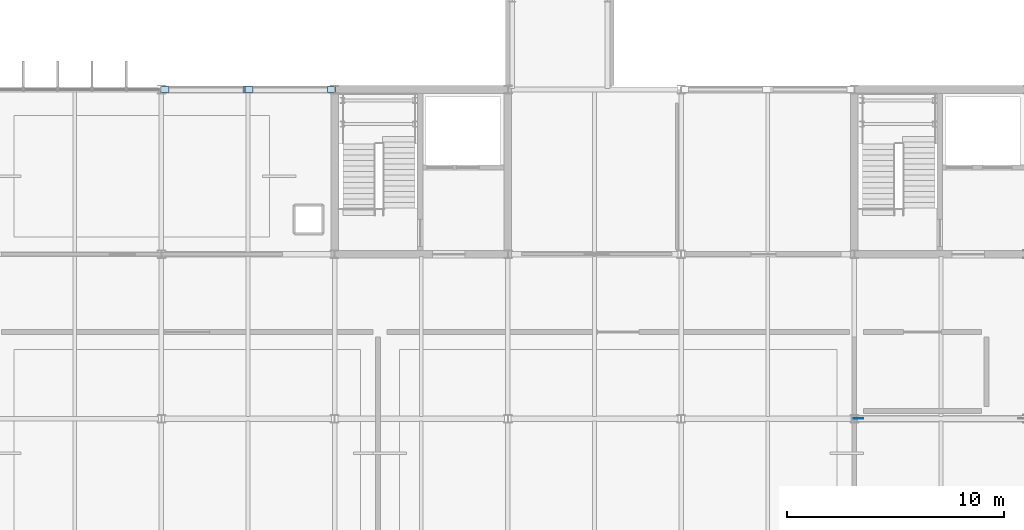
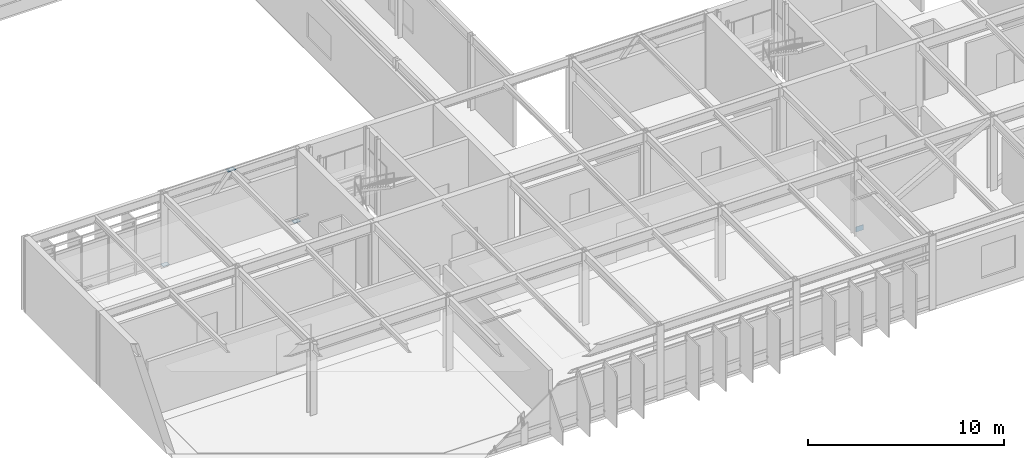
# One storey, part 76 of 104: 5 plates.
"""IFC4 building model written with IfcOpenShell, lengths in metres."""

from ifc_helpers import new_model, si_unit, direction, frame, origin, origin_2d, place, context, subcontext, project, spatial, rectangle, extrude, material, layer, layer_set, type_object, element, save


model = new_model("IFC4")

# Units and contexts
model_context = context("Model", 3, precision=1e-05, world=origin(), true_north=direction((0.0, 1.0)))
body_context = subcontext(model_context, "Body", "Model", "MODEL_VIEW")
ifc_project = project(units=[si_unit("LENGTHUNIT", "METRE"), si_unit("AREAUNIT", "SQUARE_METRE"), si_unit("VOLUMEUNIT", "CUBIC_METRE"), si_unit("PLANEANGLEUNIT", "RADIAN"), si_unit("MASSUNIT", "GRAM", prefix="KILO")], contexts=[model_context])

# Site, building, storey
site_placement = place(None, origin())
site = spatial("IfcSite", under=ifc_project, at=site_placement, CompositionType="ELEMENT")
building_placement = place(site_placement, origin())
building = spatial("IfcBuilding", under=site, at=building_placement, Name="Zulena Civic Courthouse", CompositionType="ELEMENT")
storey_placement = place(building_placement, frame((0.0, 0.0, 15.60009765625)))
storey = spatial("IfcBuildingStorey", under=building, at=storey_placement, Name="L03", CompositionType="ELEMENT", Elevation=15.60009765625)

# Plates
ifc_material = material(Name="Steel ASTM A572 Grade 50", Category="steel")
ifc_layer_1 = layer(ifc_material, 0.02197265625)
ifc_layer_set_1 = layer_set([ifc_layer_1], Name="Steel ASTM A572 Grade 50")
plate_type_1 = type_object("IfcPlateType", Name="GussetPlate_380x280x22", PredefinedType="SHEET", material=ifc_layer_set_1)
for number, where, z_axis, x_axis, name in (
    (1, (12.14990234375, 22.800048828125, -0.0009765625), (0.0, 0.0, 1.0), (1.0, 0.0, 0.0), "plate:br:V2:L03:0:0:0"),
    (2, (15.949951171875, 22.800048828125, 4.548828125), (0.0, 0.0, 1.0), (1.0, 0.0, 0.0), "plate:br:V2:L03:0:0:1"),
    (3, (19.85009765625, 22.800048828125, -0.0009765625), (0.0, 0.0, 1.0), (1.0, 0.0, 0.0), "plate:br:V2:L03:0:1:0"),
    (4, (16.050048828125, 22.800048828125, 4.548828125), (0.0, 0.0, 1.0), (1.0, 0.0, 0.0), "plate:br:V2:L03:0:1:1"),
):
    element("IfcPlate", number, at=place(storey_placement, frame(where, z_axis=z_axis, x_axis=x_axis)), inside=storey, type_object=plate_type_1, Name=name, PredefinedType="SHEET", context=body_context, shape_type="SweptSolid", body=[
        extrude(rectangle(XDim=0.3798828125, YDim=0.280029296875, at=origin_2d()), origin(), (0.0, 0.0, 1.0), 0.02197265625),
    ])
ifc_layer_2 = layer(ifc_material, 0.02490234375)
ifc_layer_set_2 = layer_set([ifc_layer_2], Name="Steel ASTM A572 Grade 50")
plate_type_2 = type_object("IfcPlateType", Name="GussetPlate_440x320x25", PredefinedType="SHEET", material=ifc_layer_set_2)
plate_placement = place(storey_placement, frame((44.199951171875, 7.60009765625, 0.08984375), z_axis=(0.0, 0.0, 1.0), x_axis=(1.0, 0.0, 0.0)))
element("IfcPlate", 5, at=plate_placement, inside=storey, type_object=plate_type_2, Name="plate:trX:7.6:0:0", PredefinedType="SHEET", context=body_context, shape_type="SweptSolid", body=[
    extrude(rectangle(XDim=0.43994140625, YDim=0.02490234375, at=origin_2d()), origin(), (0.0, 0.0, 1.0), 0.320068359375),
])

save(model, "model.ifc")
